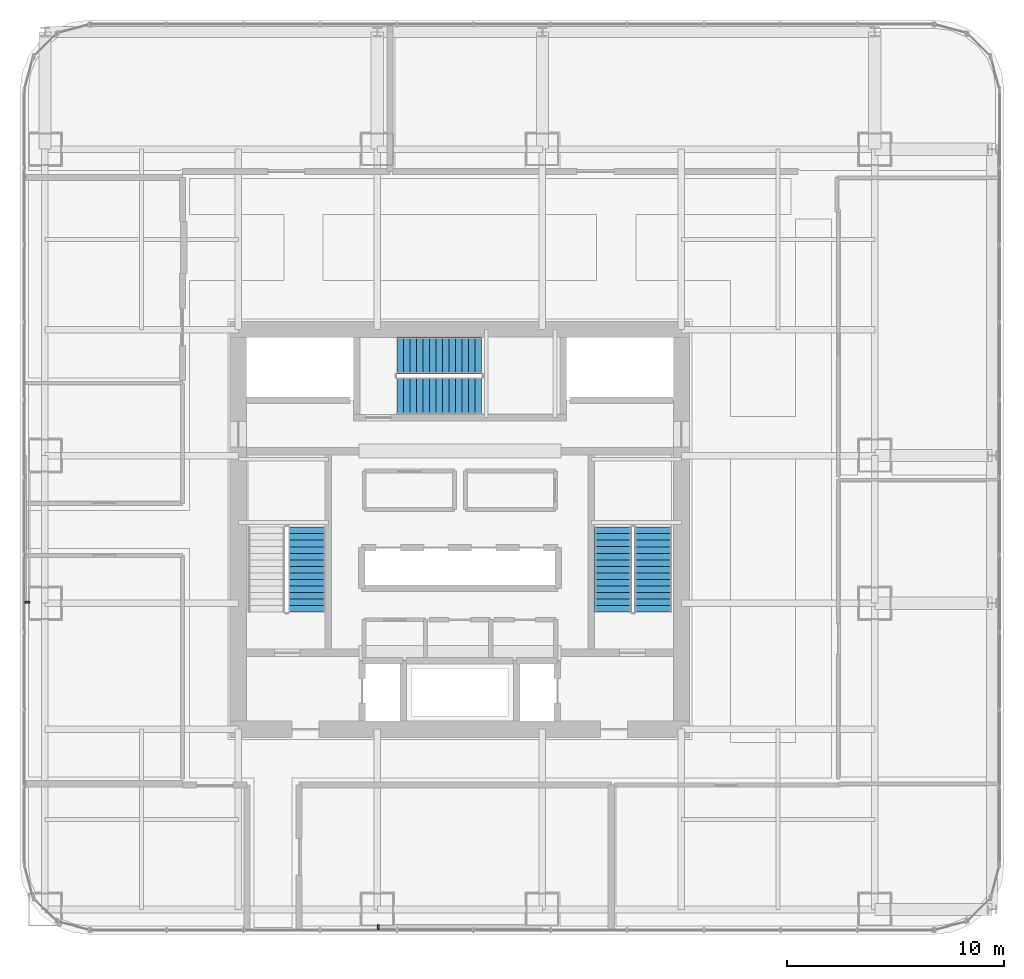
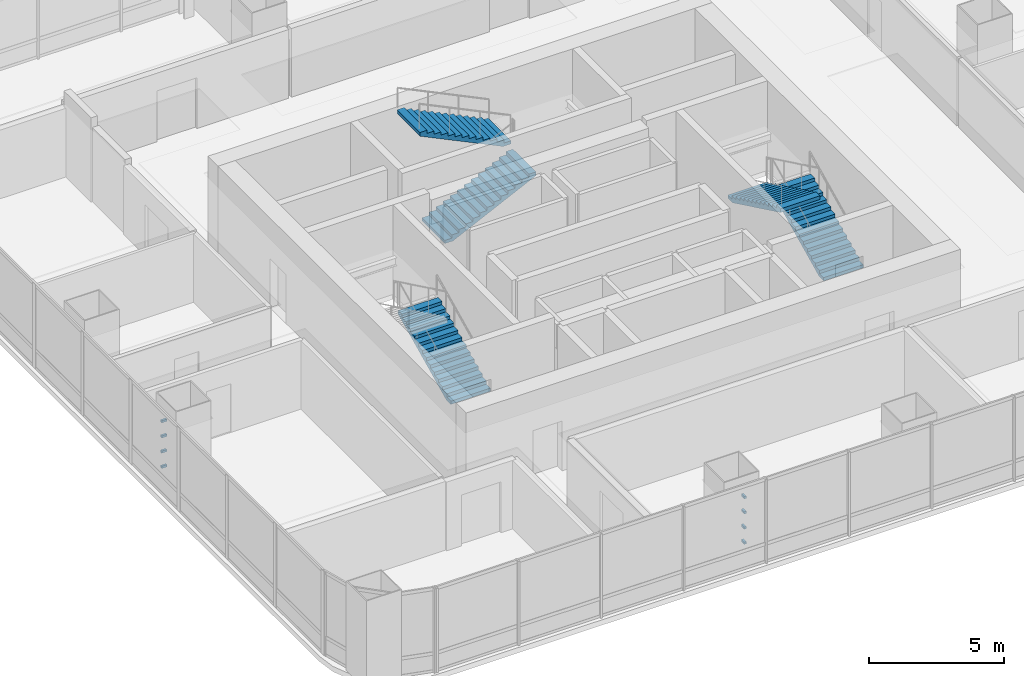
# One storey, part 29 of 34: 8 discrete accessories, 5 stair flights, 3 elements without a shape of their own.
"""IFC4 building model written with IfcOpenShell, lengths in metres."""

import ifcopenshell
import ifcopenshell.guid

model = None  # the IFC model being written
_history = None  # IfcOwnerHistory: only IFC2X3 demands one
_inside = {}  # id of a spatial element -> (the spatial element, [elements in it])
_under = {}  # id of a project, library or spatial element -> (it, [spatial elements below it])
_declared = {}  # id of a project -> (the project, [libraries it declares])
_typed = {}  # id of a type object -> (the type object, [elements of that type])
_made_of = {}  # id of a material, layer set ... -> (it, [elements and type objects made of it])


def new_model(schema):
    """Start an empty IFC model of exactly this schema.

    Asked for "IFC4X3", IfcOpenShell would pick the latest addendum, in which some entities
    have other attributes; the version numbers below select the first issue.
    IFC2X3 requires an IfcOwnerHistory on every rooted entity: one is made here for all.
    """
    global model, _history
    if schema == "IFC4X3":
        model = ifcopenshell.file(schema_version=(4, 3, 0, 0))
    else:
        model = ifcopenshell.file(schema=schema)
    _inside.clear()
    _under.clear()
    _declared.clear()
    _typed.clear()
    _made_of.clear()
    _history = None
    if model.schema == "IFC2X3":
        org = make("IfcOrganization", Name="unknown")
        user = make(
            "IfcPersonAndOrganization",
            ThePerson=make("IfcPerson", FamilyName="unknown"),
            TheOrganization=org,
        )
        app = make(
            "IfcApplication",
            ApplicationDeveloper=org,
            Version="unknown",
            ApplicationFullName="unknown",
            ApplicationIdentifier="unknown",
        )
        _history = make(
            "IfcOwnerHistory",
            OwningUser=user,
            OwningApplication=app,
            ChangeAction="ADDED",
            CreationDate=0,
        )
    return model


def make(cls, **values):
    """One entity of the class cls with the attributes given. An attribute that is None is left unset."""
    return model.create_entity(
        cls, **{name: value for name, value in values.items() if value is not None}
    )


def rooted(cls, **values):
    """An entity with a GlobalId (a new one), such as an element, a storey or a relation."""
    return make(cls, GlobalId=ifcopenshell.guid.new(), OwnerHistory=_history, **values)


def si_unit(unit_type, name, prefix=None):
    """IfcSIUnit, for example si_unit("LENGTHUNIT", "METRE", prefix="MILLI")."""
    return make("IfcSIUnit", UnitType=unit_type, Prefix=prefix, Name=name)


def assignment(units):
    """IfcUnitAssignment: the units of a project."""
    return None if units is None else make("IfcUnitAssignment", Units=units)


def point(xyz):
    """IfcCartesianPoint."""
    return None if xyz is None else make("IfcCartesianPoint", Coordinates=xyz)


def direction(xyz):
    """IfcDirection."""
    return None if xyz is None else make("IfcDirection", DirectionRatios=xyz)


def frame(location, z_axis=None, x_axis=None):
    """IfcAxis2Placement3D, a coordinate frame: its origin and axes. An axis left out is left unset."""
    return make(
        "IfcAxis2Placement3D",
        Location=point(location),
        Axis=direction(z_axis),
        RefDirection=direction(x_axis),
    )


def frame_2d(location, x_axis=None):
    """IfcAxis2Placement2D, a coordinate frame in the plane: its origin and x axis."""
    return make(
        "IfcAxis2Placement2D", Location=point(location), RefDirection=direction(x_axis)
    )


def origin():
    """The frame at (0, 0, 0) with its axes left unset."""
    return frame((0.0, 0.0, 0.0))


def origin_2d():
    """The frame at (0, 0) in the plane with its x axis left unset."""
    return frame_2d((0.0, 0.0))


def place(relative_to, where):
    """IfcLocalPlacement: puts the frame where relative to a parent placement (None: the world)."""
    return make(
        "IfcLocalPlacement", PlacementRelTo=relative_to, RelativePlacement=where
    )


def context(
    kind, dimensions, precision=None, world=None, true_north=None, identifier=None
):
    """IfcGeometricRepresentationContext, for example the 3D "Model" context."""
    return make(
        "IfcGeometricRepresentationContext",
        ContextIdentifier=identifier,
        ContextType=kind,
        CoordinateSpaceDimension=dimensions,
        Precision=precision,
        WorldCoordinateSystem=world,
        TrueNorth=true_north,
    )


def subcontext(parent, identifier, kind, view, scale=None):
    """IfcGeometricRepresentationSubContext, for example "Body" below "Model"."""
    return make(
        "IfcGeometricRepresentationSubContext",
        ContextIdentifier=identifier,
        ContextType=kind,
        ParentContext=parent,
        TargetScale=scale,
        TargetView=view,
    )


def project(units=None, contexts=None):
    """IfcProject with its units and contexts."""
    return rooted(
        "IfcProject",
        Name="project",
        RepresentationContexts=contexts,
        UnitsInContext=assignment(units),
    )


def spatial(cls, under=None, at=None, **own):
    """A site, building, storey or space (cls), placed at a placement, below another one or the project."""
    s = rooted(cls, ObjectPlacement=at, **own)
    if under is not None:
        _under.setdefault(under.id(), (under, []))[1].append(s)
    return s


def polyline(points):
    """IfcPolyline through the points."""
    return make("IfcPolyline", Points=[point(p) for p in points])


def profile(cls, at=None, kind="AREA", **sizes):
    """A parametric profile (cls). Its sizes go by their IFC names, for example OverallWidth=200.0."""
    return make(cls, ProfileType=kind, Position=at, **sizes)


def rectangle(**sizes):
    """IfcRectangleProfileDef."""
    return profile("IfcRectangleProfileDef", **sizes)


def outline(outer, holes=None, kind="AREA"):
    """IfcArbitraryClosedProfileDef: a profile drawn as a closed curve; with holes, ...WithVoids."""
    if holes is None:
        return make("IfcArbitraryClosedProfileDef", ProfileType=kind, OuterCurve=outer)
    return make(
        "IfcArbitraryProfileDefWithVoids",
        ProfileType=kind,
        OuterCurve=outer,
        InnerCurves=holes,
    )


def extrude(swept, where, along, depth):
    """IfcExtrudedAreaSolid: the profile swept, set in the frame where, extruded along a direction by depth."""
    return make(
        "IfcExtrudedAreaSolid",
        SweptArea=swept,
        Position=where,
        ExtrudedDirection=direction(along),
        Depth=depth,
    )


def shape(context_of_items, identifier, shape_type, items):
    """IfcShapeRepresentation: the items that make up one representation, for example the "Body"."""
    return make(
        "IfcShapeRepresentation",
        ContextOfItems=context_of_items,
        RepresentationIdentifier=identifier,
        RepresentationType=shape_type,
        Items=items,
    )


def material(Name=None, Category=None):
    """IfcMaterial."""
    return make("IfcMaterial", Name=Name, Category=Category)


def made_of(thing, what):
    """Note that an element or type object is made of a material, layer set ...; save() writes the relation."""
    if what is not None:
        _made_of.setdefault(what.id(), (what, []))[1].append(thing)
    return thing


def type_object(cls, material=None, **own):
    """A type object (cls), such as IfcWallType, which elements share."""
    return made_of(rooted(cls, **own), material)


def element(
    cls,
    number,
    at=None,
    inside=None,
    cuts=None,
    type_object=None,
    material=None,
    context=None,
    identifier="Body",
    shape_type=None,
    held_by="IfcProductDefinitionShape",
    body=None,
    shapes=None,
    **own,
):
    """One element of the class cls, such as IfcWall. Its Tag is "e" and its number.

    at: its placement. inside: the storey or other place that contains it. cuts: it is an
    opening in that element (IfcRelVoidsElement). A single representation is given by context,
    identifier, shape_type and body (its items); several are given by shapes. held_by: the class
    of the entity that holds the representations. save() writes the other relations.
    """
    e = rooted(cls, Tag="e%d" % number, ObjectPlacement=at, **own)
    if body is not None:
        shapes = [shape(context, identifier, shape_type, body)]
    if shapes is not None:
        e.Representation = make(held_by, Representations=shapes)
    if inside is not None:
        _inside.setdefault(inside.id(), (inside, []))[1].append(e)
    if cuts is not None:
        rooted(
            "IfcRelVoidsElement", RelatingBuildingElement=cuts, RelatedOpeningElement=e
        )
    if type_object is not None:
        _typed.setdefault(type_object.id(), (type_object, []))[1].append(e)
    return made_of(e, material)


def aggregate(whole, parts):
    """IfcRelAggregates: a whole, such as a stair, and the parts it consists of."""
    return rooted("IfcRelAggregates", RelatingObject=whole, RelatedObjects=parts)


def save(model, path):
    """Write the relations noted so far, then the file.

    IfcRelAggregates (storeys below a building ...), IfcRelContainedInSpatialStructure (elements
    in a storey), IfcRelDefinesByType, IfcRelAssociatesMaterial and IfcRelDeclares: one each for
    every whole, place, type object, material and project.
    """
    for whole, parts in _under.values():
        aggregate(whole, parts)
    for where, things in _inside.values():
        rooted(
            "IfcRelContainedInSpatialStructure",
            RelatedElements=things,
            RelatingStructure=where,
        )
    for kind, things in _typed.values():
        rooted("IfcRelDefinesByType", RelatedObjects=things, RelatingType=kind)
    for what, things in _made_of.values():
        rooted("IfcRelAssociatesMaterial", RelatedObjects=things, RelatingMaterial=what)
    for by, libraries in _declared.values():
        rooted("IfcRelDeclares", RelatingContext=by, RelatedDefinitions=libraries)
    model.write(path)


model = new_model("IFC4")

# Units and contexts
model_context = context("Model", 3, precision=1e-05, world=origin(), true_north=direction((0.0, 1.0)))
body_context = subcontext(model_context, "Body", "Model", "MODEL_VIEW")
ifc_project = project(units=[si_unit("LENGTHUNIT", "METRE"), si_unit("AREAUNIT", "SQUARE_METRE"), si_unit("VOLUMEUNIT", "CUBIC_METRE"), si_unit("PLANEANGLEUNIT", "RADIAN"), si_unit("MASSUNIT", "GRAM", prefix="KILO")], contexts=[model_context])

# Site, building, storey
site_placement = place(None, origin())
site = spatial("IfcSite", under=ifc_project, at=site_placement, CompositionType="ELEMENT")
building_placement = place(site_placement, origin())
building = spatial("IfcBuilding", under=site, at=building_placement, Name="Punatoya Terracotta Tower", CompositionType="ELEMENT")
storey_placement = place(building_placement, frame((0.0, 0.0, 97.050048828125)))
storey = spatial("IfcBuildingStorey", under=building, at=storey_placement, Name="L22", CompositionType="ELEMENT", Elevation=97.050048828125)

# Stair, stair flight
ifc_material_1 = material(Name="Concrete C40/50", Category="concrete")
stair_type_1 = type_object("IfcStairType", Name="STR-CORE-1550", PredefinedType="HALF_TURN_STAIR", material=ifc_material_1)
stair_1_placement = place(storey_placement, origin())
stair_1 = element("IfcStair", 1, at=stair_1_placement, inside=storey, type_object=stair_type_1, Name="L22 Protected Core Exit Stair ST-1", PredefinedType="HALF_TURN_STAIR")
stair_flight_type_1 = type_object("IfcStairFlightType", Name="SFL-CORE-1550", PredefinedType="STRAIGHT", material=ifc_material_1)
stair_flight_1_placement = place(storey_placement, frame((-7.050048828125, -3.800048828125, 0.0), z_axis=(0.0, 0.0, 1.0), x_axis=(0.0, 1.0, 0.0)))
stair_flight_1 = element("IfcStairFlight", 2, at=stair_flight_1_placement, type_object=stair_flight_type_1, Name="ST-1 flight 1", NumberOfRisers=14, NumberOfTreads=13, PredefinedType="STRAIGHT", RiserHeight=0.144642857, TreadLength=0.3, context=body_context, shape_type="SweptSolid", body=[
    extrude(outline(polyline([(0.0, 0.0), (0.0, 0.14453125), (0.300048828125, 0.14453125), (0.300048828125, 0.289306640625), (0.60009765625, 0.289306640625), (0.60009765625, 0.433837890625), (0.89990234375, 0.433837890625), (0.89990234375, 0.57861328125), (1.199951171875, 0.57861328125), (1.199951171875, 0.72314453125), (1.5, 0.72314453125), (1.5, 0.867919921875), (1.800048828125, 0.867919921875), (1.800048828125, 1.012451171875), (2.10009765625, 1.012451171875), (2.10009765625, 1.1572265625), (2.39990234375, 1.1572265625), (2.39990234375, 1.3017578125), (2.699951171875, 1.3017578125), (2.699951171875, 1.446533203125), (3.0, 1.446533203125), (3.0, 1.591064453125), (3.300048828125, 1.591064453125), (3.300048828125, 1.735595703125), (3.60009765625, 1.735595703125), (3.60009765625, 1.88037109375), (3.89990234375, 1.88037109375), (3.89990234375, 2.02490234375), (3.89990234375, 1.7138671875), (0.34521484375, 0.0), (0.0, 0.0)])), frame((0.0, 0.85009765625, 0.0), z_axis=(0.0, -1.0, 0.0), x_axis=(1.0, 0.0, 0.0)), (0.0, 0.0, 1.0), 1.699951171875),
])
aggregate(stair_1, [stair_flight_1])

# Stair, stair flights
stair_type_2 = type_object("IfcStairType", Name="STR-LOB-1650", PredefinedType="HALF_TURN_STAIR", material=ifc_material_1)
stair_2_placement = place(storey_placement, origin())
stair_2 = element("IfcStair", 3, at=stair_2_placement, inside=storey, type_object=stair_type_2, Name="L22 Protected Core Exit Stair ST-2", PredefinedType="HALF_TURN_STAIR")
stair_flight_type_2 = type_object("IfcStairFlightType", Name="SFL-LOB-1650", PredefinedType="STRAIGHT", material=ifc_material_1)
stair_flight_2_placement = place(storey_placement, frame((8.89990234375, -3.800048828125, 0.0), z_axis=(0.0, 0.0, 1.0), x_axis=(0.0, 1.0, 0.0)))
stair_flight_2 = element("IfcStairFlight", 4, at=stair_flight_2_placement, type_object=stair_flight_type_2, Name="ST-2 flight 1", NumberOfRisers=14, NumberOfTreads=13, PredefinedType="STRAIGHT", RiserHeight=0.144642857, TreadLength=0.3, context=body_context, shape_type="SweptSolid", body=[
    extrude(outline(polyline([(0.0, 0.0), (0.0, 0.14453125), (0.300048828125, 0.14453125), (0.300048828125, 0.289306640625), (0.60009765625, 0.289306640625), (0.60009765625, 0.433837890625), (0.89990234375, 0.433837890625), (0.89990234375, 0.57861328125), (1.199951171875, 0.57861328125), (1.199951171875, 0.72314453125), (1.5, 0.72314453125), (1.5, 0.867919921875), (1.800048828125, 0.867919921875), (1.800048828125, 1.012451171875), (2.10009765625, 1.012451171875), (2.10009765625, 1.1572265625), (2.39990234375, 1.1572265625), (2.39990234375, 1.3017578125), (2.699951171875, 1.3017578125), (2.699951171875, 1.446533203125), (3.0, 1.446533203125), (3.0, 1.591064453125), (3.300048828125, 1.591064453125), (3.300048828125, 1.735595703125), (3.60009765625, 1.735595703125), (3.60009765625, 1.88037109375), (3.89990234375, 1.88037109375), (3.89990234375, 2.02490234375), (3.89990234375, 1.7138671875), (0.34521484375, 0.0), (0.0, 0.0)])), frame((0.0, 0.85009765625, 0.0), z_axis=(0.0, -1.0, 0.0), x_axis=(1.0, 0.0, 0.0)), (0.0, 0.0, 1.0), 1.699951171875),
])
stair_flight_3_placement = place(storey_placement, frame((7.050048828125, 0.10009765625, 2.02490234375), z_axis=(0.0, 0.0, 1.0), x_axis=(0.0, -1.0, 0.0)))
stair_flight_3 = element("IfcStairFlight", 5, at=stair_flight_3_placement, type_object=stair_flight_type_2, Name="ST-2 flight 2", NumberOfRisers=14, NumberOfTreads=13, PredefinedType="STRAIGHT", RiserHeight=0.144642857, TreadLength=0.3, context=body_context, shape_type="SweptSolid", body=[
    extrude(outline(polyline([(0.0, 0.0), (0.0, 0.14453125), (0.300048828125, 0.14453125), (0.300048828125, 0.289306640625), (0.60009765625, 0.289306640625), (0.60009765625, 0.433837890625), (0.89990234375, 0.433837890625), (0.89990234375, 0.57861328125), (1.199951171875, 0.57861328125), (1.199951171875, 0.72314453125), (1.5, 0.72314453125), (1.5, 0.867919921875), (1.800048828125, 0.867919921875), (1.800048828125, 1.012451171875), (2.10009765625, 1.012451171875), (2.10009765625, 1.1572265625), (2.39990234375, 1.1572265625), (2.39990234375, 1.3017578125), (2.699951171875, 1.3017578125), (2.699951171875, 1.446533203125), (3.0, 1.446533203125), (3.0, 1.591064453125), (3.300048828125, 1.591064453125), (3.300048828125, 1.735595703125), (3.60009765625, 1.735595703125), (3.60009765625, 1.88037109375), (3.89990234375, 1.88037109375), (3.89990234375, 2.02490234375), (3.89990234375, 1.7138671875), (0.34521484375, 0.0), (0.0, 0.0)])), frame((0.0, 0.85009765625, 0.0), z_axis=(0.0, -1.0, 0.0), x_axis=(1.0, 0.0, 0.0)), (0.0, 0.0, 1.0), 1.699951171875),
])
aggregate(stair_2, [stair_flight_2, stair_flight_3])

stair_type_3 = type_object("IfcStairType", Name="STR-TER-1450", PredefinedType="HALF_TURN_STAIR", material=ifc_material_1)
stair_3_placement = place(storey_placement, origin())
stair_3 = element("IfcStair", 6, at=stair_3_placement, inside=storey, type_object=stair_type_3, Name="L22 Protected Core Exit Stair ST-3", PredefinedType="HALF_TURN_STAIR")
stair_flight_type_3 = type_object("IfcStairFlightType", Name="SFL-TER-1450", PredefinedType="STRAIGHT", material=ifc_material_1)
stair_flight_4_placement = place(storey_placement, frame((-2.89990234375, 6.14990234375, 0.0), z_axis=(0.0, 0.0, 1.0), x_axis=(1.0, 0.0, 0.0)))
stair_flight_4 = element("IfcStairFlight", 7, at=stair_flight_4_placement, type_object=stair_flight_type_3, Name="ST-3 flight 1", NumberOfRisers=14, NumberOfTreads=13, PredefinedType="STRAIGHT", RiserHeight=0.144642857, TreadLength=0.3, context=body_context, shape_type="SweptSolid", body=[
    extrude(outline(polyline([(0.0, 0.0), (0.0, 0.14453125), (0.300048828125, 0.14453125), (0.300048828125, 0.289306640625), (0.60009765625, 0.289306640625), (0.60009765625, 0.433837890625), (0.89990234375, 0.433837890625), (0.89990234375, 0.57861328125), (1.199951171875, 0.57861328125), (1.199951171875, 0.72314453125), (1.5, 0.72314453125), (1.5, 0.867919921875), (1.800048828125, 0.867919921875), (1.800048828125, 1.012451171875), (2.10009765625, 1.012451171875), (2.10009765625, 1.1572265625), (2.39990234375, 1.1572265625), (2.39990234375, 1.3017578125), (2.699951171875, 1.3017578125), (2.699951171875, 1.446533203125), (3.0, 1.446533203125), (3.0, 1.591064453125), (3.300048828125, 1.591064453125), (3.300048828125, 1.735595703125), (3.60009765625, 1.735595703125), (3.60009765625, 1.88037109375), (3.89990234375, 1.88037109375), (3.89990234375, 2.02490234375), (3.89990234375, 1.7138671875), (0.34521484375, 0.0), (0.0, 0.0)])), frame((0.0, 0.85009765625, 0.0), z_axis=(0.0, -1.0, 0.0), x_axis=(1.0, 0.0, 0.0)), (0.0, 0.0, 1.0), 1.699951171875),
])
stair_flight_5_placement = place(storey_placement, frame((1.0, 8.0, 2.02490234375), z_axis=(0.0, 0.0, 1.0), x_axis=(-1.0, 0.0, 0.0)))
stair_flight_5 = element("IfcStairFlight", 8, at=stair_flight_5_placement, type_object=stair_flight_type_3, Name="ST-3 flight 2", NumberOfRisers=14, NumberOfTreads=13, PredefinedType="STRAIGHT", RiserHeight=0.144642857, TreadLength=0.3, context=body_context, shape_type="SweptSolid", body=[
    extrude(outline(polyline([(0.0, 0.0), (0.0, 0.14453125), (0.300048828125, 0.14453125), (0.300048828125, 0.289306640625), (0.60009765625, 0.289306640625), (0.60009765625, 0.433837890625), (0.89990234375, 0.433837890625), (0.89990234375, 0.57861328125), (1.199951171875, 0.57861328125), (1.199951171875, 0.72314453125), (1.5, 0.72314453125), (1.5, 0.867919921875), (1.800048828125, 0.867919921875), (1.800048828125, 1.012451171875), (2.10009765625, 1.012451171875), (2.10009765625, 1.1572265625), (2.39990234375, 1.1572265625), (2.39990234375, 1.3017578125), (2.699951171875, 1.3017578125), (2.699951171875, 1.446533203125), (3.0, 1.446533203125), (3.0, 1.591064453125), (3.300048828125, 1.591064453125), (3.300048828125, 1.735595703125), (3.60009765625, 1.735595703125), (3.60009765625, 1.88037109375), (3.89990234375, 1.88037109375), (3.89990234375, 2.02490234375), (3.89990234375, 1.7138671875), (0.34521484375, 0.0), (0.0, 0.0)])), frame((0.0, 0.85009765625, 0.0), z_axis=(0.0, -1.0, 0.0), x_axis=(1.0, 0.0, 0.0)), (0.0, 0.0, 1.0), 1.699951171875),
])
aggregate(stair_3, [stair_flight_4, stair_flight_5])

# Discrete accessories
ifc_material_2 = material(Name="Steel S355", Category="steel")
discrete_accessory_type = type_object("IfcDiscreteAccessoryType", Name="ACC-BRK-220", PredefinedType="BRACKET", material=ifc_material_2)
for number, where, z_axis, x_axis, name in (
    (9, (-3.75, -18.320068359375, 1.099853515625), (0.0, 0.0, 1.0), (1.0, 0.0, 0.0), "L22 Baguette Louvre Column Bracket BAG-L22-S-01"),
    (10, (-3.75, -18.320068359375, 1.78662109375), (0.0, 0.0, 1.0), (1.0, 0.0, 0.0), "L22 Baguette Louvre Column Bracket BAG-L22-S-02"),
    (11, (-3.75, -18.320068359375, 2.47314453125), (0.0, 0.0, 1.0), (1.0, 0.0, 0.0), "L22 Baguette Louvre Column Bracket BAG-L22-S-03"),
    (12, (-3.75, -18.320068359375, 3.159912109375), (0.0, 0.0, 1.0), (1.0, 0.0, 0.0), "L22 Baguette Louvre Column Bracket BAG-L22-S-04"),
    (13, (-19.919921875, -3.35009765625, 1.099853515625), (0.0, 0.0, 1.0), (0.0, 1.0, 0.0), "L22 Baguette Louvre Column Bracket BAG-L22-W-01"),
    (14, (-19.919921875, -3.35009765625, 1.78662109375), (0.0, 0.0, 1.0), (0.0, 1.0, 0.0), "L22 Baguette Louvre Column Bracket BAG-L22-W-02"),
    (15, (-19.919921875, -3.35009765625, 2.47314453125), (0.0, 0.0, 1.0), (0.0, 1.0, 0.0), "L22 Baguette Louvre Column Bracket BAG-L22-W-03"),
    (16, (-19.919921875, -3.35009765625, 3.159912109375), (0.0, 0.0, 1.0), (0.0, 1.0, 0.0), "L22 Baguette Louvre Column Bracket BAG-L22-W-04"),
):
    element("IfcDiscreteAccessory", number, at=place(storey_placement, frame(where, z_axis=z_axis, x_axis=x_axis)), inside=storey, type_object=discrete_accessory_type, Name=name, PredefinedType="BRACKET", context=body_context, shape_type="SweptSolid", body=[
        extrude(rectangle(XDim=0.090087890625, YDim=0.219970703125, at=origin_2d()), origin(), (0.0, 0.0, 1.0), 0.10009765625),
    ])

save(model, "model.ifc")
